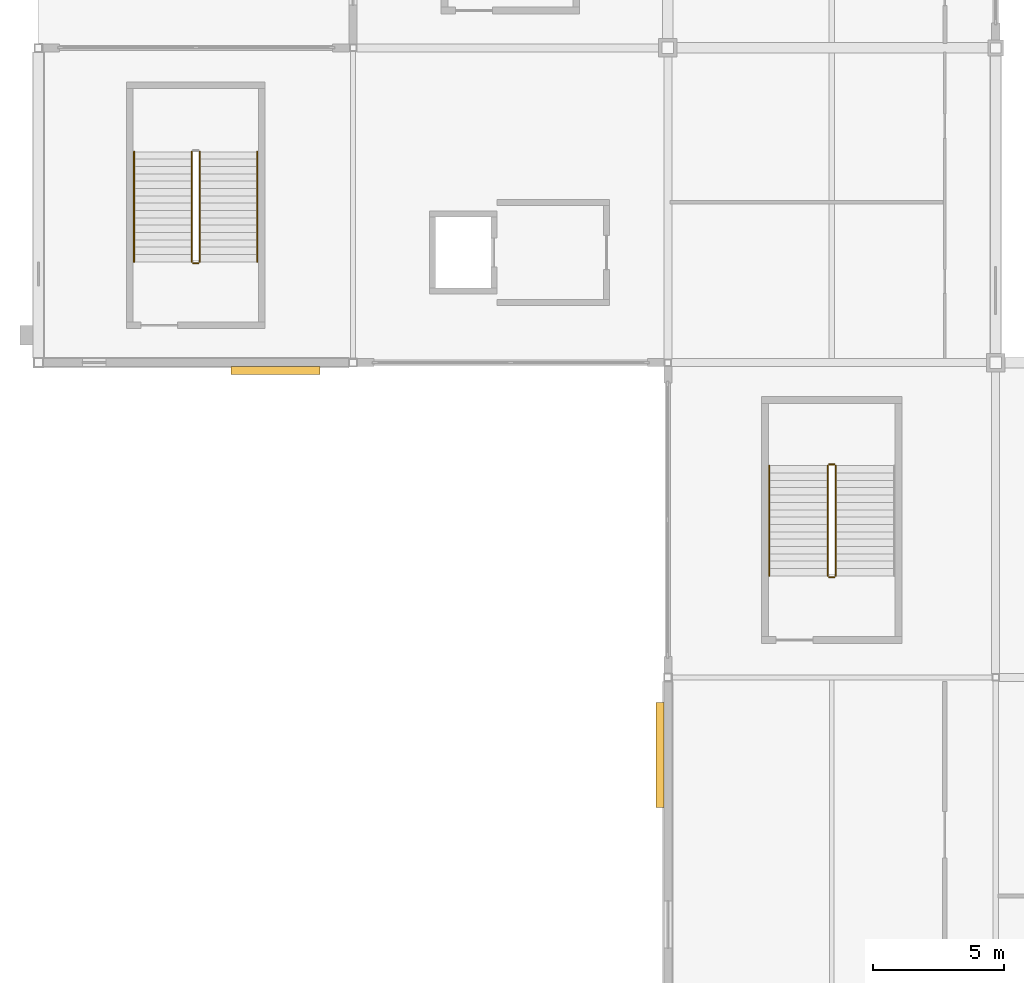
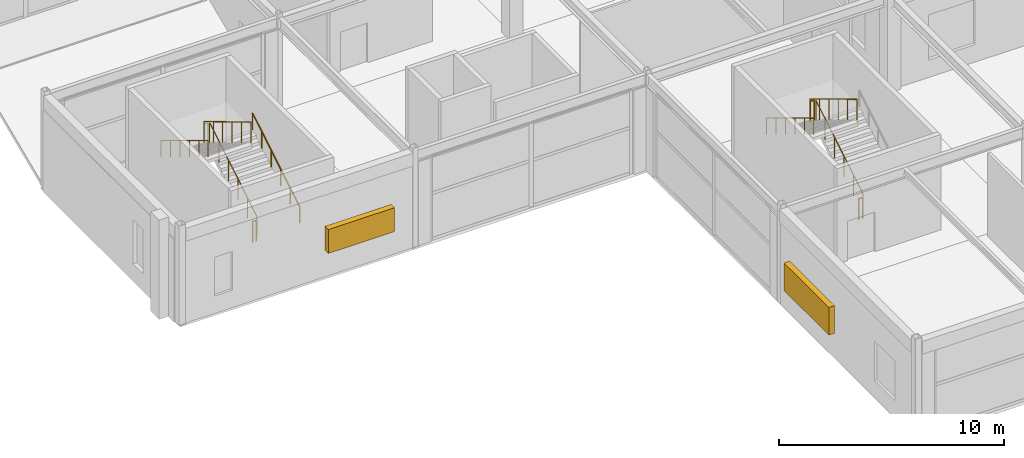
# One storey, part 87 of 105: 10 railings, 2 shading devices.
"""IFC4 building model written with IfcOpenShell, lengths in metres."""

from ifc_helpers import new_model, si_unit, direction, frame, origin, origin_2d, place, context, subcontext, project, spatial, rectangle, circle, extrude, material, layer, layer_set, type_object, element, save


model = new_model("IFC4")

# Units and contexts
model_context = context("Model", 3, precision=1e-05, world=origin(), true_north=direction((0.0, 1.0)))
body_context = subcontext(model_context, "Body", "Model", "MODEL_VIEW")
ifc_project = project(units=[si_unit("LENGTHUNIT", "METRE"), si_unit("AREAUNIT", "SQUARE_METRE"), si_unit("VOLUMEUNIT", "CUBIC_METRE"), si_unit("PLANEANGLEUNIT", "RADIAN"), si_unit("MASSUNIT", "GRAM", prefix="KILO")], contexts=[model_context])

# Site, building, storey
site_placement = place(None, origin())
site = spatial("IfcSite", under=ifc_project, at=site_placement, CompositionType="ELEMENT")
building_placement = place(site_placement, origin())
building = spatial("IfcBuilding", under=site, at=building_placement, Name="Kazenohara Klinker Stadium", CompositionType="ELEMENT")
storey_placement = place(building_placement, frame((0.0, 0.0, 20.39990234375)))
storey = spatial("IfcBuildingStorey", under=building, at=storey_placement, Name="L04", CompositionType="ELEMENT", Elevation=20.39990234375)

# Railings
ifc_material_1 = material(Name="Brushed stainless steel 304 handrail", Category="steel")
ifc_layer_1 = layer(ifc_material_1, 0.050048828125)
ifc_layer_set_1 = layer_set([ifc_layer_1], Name="Brushed stainless steel 304 handrail")
railing_type_1 = type_object("IfcRailingType", Name="RL-HND-900", PredefinedType="HANDRAIL", material=ifc_layer_set_1)
railing_1_placement = place(storey_placement, frame((8.35009765625, 39.840087890625, 0.1689453125)))
element("IfcRailing", 1, at=railing_1_placement, inside=storey, type_object=railing_type_1, Name="L04 ST01 stair handrail 1", PredefinedType="HANDRAIL", context=body_context, shape_type="SweptSolid", body=[
    extrude(circle(Radius=0.02392578125, at=origin_2d()), frame((0.0, 0.0, 0.8759765625), z_axis=(0.0, 0.856476492594, 0.516186030065), x_axis=(-1.0, 0.0, 0.0)), (0.0, 0.0, 1.0), 4.90380859375),
    extrude(circle(Radius=0.02099609375, at=origin_2d()), origin(), (0.0, 0.0, 1.0), 0.851806640625),
    extrude(circle(Radius=0.02099609375, at=origin_2d()), frame((0.0, 0.840087890625, 0.50634765625)), (0.0, 0.0, 1.0), 0.851806640625),
    extrude(circle(Radius=0.02099609375, at=origin_2d()), frame((0.0, 1.679931640625, 1.012451171875)), (0.0, 0.0, 1.0), 0.851806640625),
    extrude(circle(Radius=0.02099609375, at=origin_2d()), frame((0.0, 2.52001953125, 1.518798828125)), (0.0, 0.0, 1.0), 0.851806640625),
    extrude(circle(Radius=0.02099609375, at=origin_2d()), frame((0.0, 3.35986328125, 2.02490234375)), (0.0, 0.0, 1.0), 0.851806640625),
    extrude(circle(Radius=0.02099609375, at=origin_2d()), frame((0.0, 4.199951171875, 2.53125)), (0.0, 0.0, 1.0), 0.851806640625),
])
for number, where, name in (
    (2, (3.64990234375, 44.0400390625, 2.868896484375), "L04 ST01 stair handrail 2"),
    (3, (27.8701171875, 32.070068359375, 2.868896484375), "L04 ST07 stair handrail 2"),
):
    element("IfcRailing", number, at=place(storey_placement, frame(where)), inside=storey, type_object=railing_type_1, Name=name, PredefinedType="HANDRAIL", context=body_context, shape_type="SweptSolid", body=[
        extrude(circle(Radius=0.02392578125, at=origin_2d()), frame((0.0, 0.0, 0.8759765625), z_axis=(0.0, -0.856476492594, 0.516186030065), x_axis=(1.0, 0.0, 0.0)), (0.0, 0.0, 1.0), 4.90380859375),
        extrude(circle(Radius=0.02099609375, at=origin_2d()), origin(), (0.0, 0.0, 1.0), 0.851806640625),
        extrude(circle(Radius=0.02099609375, at=origin_2d()), frame((0.0, -0.840087890625, 0.50634765625)), (0.0, 0.0, 1.0), 0.851806640625),
        extrude(circle(Radius=0.02099609375, at=origin_2d()), frame((0.0, -1.679931640625, 1.012451171875)), (0.0, 0.0, 1.0), 0.851806640625),
        extrude(circle(Radius=0.02099609375, at=origin_2d()), frame((0.0, -2.52001953125, 1.518798828125)), (0.0, 0.0, 1.0), 0.851806640625),
        extrude(circle(Radius=0.02099609375, at=origin_2d()), frame((0.0, -3.35986328125, 2.02490234375)), (0.0, 0.0, 1.0), 0.851806640625),
        extrude(circle(Radius=0.02099609375, at=origin_2d()), frame((0.0, -4.199951171875, 2.53125)), (0.0, 0.0, 1.0), 0.851806640625),
    ])
ifc_material_2 = material(Name="Painted steel stairwell guardrail", Category="steel")
ifc_layer_2 = layer(ifc_material_2, 0.06005859375)
ifc_layer_set_2 = layer_set([ifc_layer_2], Name="Painted steel stairwell guardrail")
railing_type_2 = type_object("IfcRailingType", Name="RL-STG-1120", PredefinedType="GUARDRAIL", material=ifc_layer_set_2)
railing_2_placement = place(storey_placement, frame((6.14990234375, 39.840087890625, 0.1689453125)))
element("IfcRailing", 4, at=railing_2_placement, inside=storey, type_object=railing_type_2, Name="L04 ST01 stair guard 1", PredefinedType="GUARDRAIL", context=body_context, shape_type="SweptSolid", body=[
    extrude(circle(Radius=0.02392578125, at=origin_2d()), frame((0.0, 0.0, 1.1259765625), z_axis=(0.0, 0.856476492594, 0.516186030065), x_axis=(-1.0, 0.0, 0.0)), (0.0, 0.0, 1.0), 4.90380859375),
    extrude(circle(Radius=0.02099609375, at=origin_2d()), origin(), (0.0, 0.0, 1.0), 1.101806640625),
    extrude(circle(Radius=0.02099609375, at=origin_2d()), frame((0.0, 0.840087890625, 0.50634765625)), (0.0, 0.0, 1.0), 1.101806640625),
    extrude(circle(Radius=0.02099609375, at=origin_2d()), frame((0.0, 1.679931640625, 1.012451171875)), (0.0, 0.0, 1.0), 1.101806640625),
    extrude(circle(Radius=0.02099609375, at=origin_2d()), frame((0.0, 2.52001953125, 1.518798828125)), (0.0, 0.0, 1.0), 1.101806640625),
    extrude(circle(Radius=0.02099609375, at=origin_2d()), frame((0.0, 3.35986328125, 2.02490234375)), (0.0, 0.0, 1.0), 1.101806640625),
    extrude(circle(Radius=0.02099609375, at=origin_2d()), frame((0.0, 4.199951171875, 2.53125)), (0.0, 0.0, 1.0), 1.101806640625),
])
railing_3_placement = place(storey_placement, frame((5.85009765625, 44.0400390625, 2.868896484375)))
element("IfcRailing", 5, at=railing_3_placement, inside=storey, type_object=railing_type_2, Name="L04 ST01 stair guard 3", PredefinedType="GUARDRAIL", context=body_context, shape_type="SweptSolid", body=[
    extrude(circle(Radius=0.02392578125, at=origin_2d()), frame((0.0, 0.0, 1.1259765625), z_axis=(0.0, -0.856476492594, 0.516186030065), x_axis=(1.0, 0.0, 0.0)), (0.0, 0.0, 1.0), 4.90380859375),
    extrude(circle(Radius=0.02099609375, at=origin_2d()), origin(), (0.0, 0.0, 1.0), 1.101806640625),
    extrude(circle(Radius=0.02099609375, at=origin_2d()), frame((0.0, -0.840087890625, 0.50634765625)), (0.0, 0.0, 1.0), 1.101806640625),
    extrude(circle(Radius=0.02099609375, at=origin_2d()), frame((0.0, -1.679931640625, 1.012451171875)), (0.0, 0.0, 1.0), 1.101806640625),
    extrude(circle(Radius=0.02099609375, at=origin_2d()), frame((0.0, -2.52001953125, 1.518798828125)), (0.0, 0.0, 1.0), 1.101806640625),
    extrude(circle(Radius=0.02099609375, at=origin_2d()), frame((0.0, -3.35986328125, 2.02490234375)), (0.0, 0.0, 1.0), 1.101806640625),
    extrude(circle(Radius=0.02099609375, at=origin_2d()), frame((0.0, -4.199951171875, 2.53125)), (0.0, 0.0, 1.0), 1.101806640625),
])
railing_4_placement = place(storey_placement, frame((6.10009765625, 39.7900390625, 0.0)))
element("IfcRailing", 6, at=railing_4_placement, inside=storey, type_object=railing_type_2, Name="L04 ST01 stair guard 4", PredefinedType="GUARDRAIL", context=body_context, shape_type="SweptSolid", body=[
    extrude(circle(Radius=0.02392578125, at=origin_2d()), frame((0.0, 0.0, 1.1259765625), z_axis=(-1.0, 0.0, 0.0), x_axis=(0.0, -1.0, 0.0)), (0.0, 0.0, 1.0), 0.2001953125),
    extrude(circle(Radius=0.02099609375, at=origin_2d()), origin(), (0.0, 0.0, 1.0), 1.101806640625),
    extrude(circle(Radius=0.02099609375, at=origin_2d()), frame((-0.2001953125, 0.0, 0.0)), (0.0, 0.0, 1.0), 1.101806640625),
])
railing_5_placement = place(storey_placement, frame((30.39990234375, 27.8701171875, 0.1689453125)))
element("IfcRailing", 7, at=railing_5_placement, inside=storey, type_object=railing_type_2, Name="L04 ST07 stair guard 1", PredefinedType="GUARDRAIL", context=body_context, shape_type="SweptSolid", body=[
    extrude(circle(Radius=0.02392578125, at=origin_2d()), frame((0.0, 0.0, 1.1259765625), z_axis=(0.0, 0.856476492594, 0.516186030065), x_axis=(-1.0, 0.0, 0.0)), (0.0, 0.0, 1.0), 4.90380859375),
    extrude(circle(Radius=0.02099609375, at=origin_2d()), origin(), (0.0, 0.0, 1.0), 1.101806640625),
    extrude(circle(Radius=0.02099609375, at=origin_2d()), frame((0.0, 0.840087890625, 0.50634765625)), (0.0, 0.0, 1.0), 1.101806640625),
    extrude(circle(Radius=0.02099609375, at=origin_2d()), frame((0.0, 1.679931640625, 1.012451171875)), (0.0, 0.0, 1.0), 1.101806640625),
    extrude(circle(Radius=0.02099609375, at=origin_2d()), frame((0.0, 2.52001953125, 1.518798828125)), (0.0, 0.0, 1.0), 1.101806640625),
    extrude(circle(Radius=0.02099609375, at=origin_2d()), frame((0.0, 3.35986328125, 2.02490234375)), (0.0, 0.0, 1.0), 1.101806640625),
    extrude(circle(Radius=0.02099609375, at=origin_2d()), frame((0.0, 4.199951171875, 2.53125)), (0.0, 0.0, 1.0), 1.101806640625),
])
railing_6_placement = place(storey_placement, frame((30.35009765625, 32.1201171875, 2.7001953125)))
element("IfcRailing", 8, at=railing_6_placement, inside=storey, type_object=railing_type_2, Name="L04 ST07 stair guard 2", PredefinedType="GUARDRAIL", context=body_context, shape_type="SweptSolid", body=[
    extrude(circle(Radius=0.02392578125, at=origin_2d()), frame((0.0, 0.0, 1.1259765625), z_axis=(-1.0, 0.0, 0.0), x_axis=(0.0, -1.0, 0.0)), (0.0, 0.0, 1.0), 0.2001953125),
    extrude(circle(Radius=0.02099609375, at=origin_2d()), origin(), (0.0, 0.0, 1.0), 1.101806640625),
    extrude(circle(Radius=0.02099609375, at=origin_2d()), frame((-0.2001953125, 0.0, 0.0)), (0.0, 0.0, 1.0), 1.101806640625),
])
railing_7_placement = place(storey_placement, frame((30.10009765625, 32.070068359375, 2.868896484375)))
element("IfcRailing", 9, at=railing_7_placement, inside=storey, type_object=railing_type_2, Name="L04 ST07 stair guard 3", PredefinedType="GUARDRAIL", context=body_context, shape_type="SweptSolid", body=[
    extrude(circle(Radius=0.02392578125, at=origin_2d()), frame((0.0, 0.0, 1.1259765625), z_axis=(0.0, -0.856476492594, 0.516186030065), x_axis=(1.0, 0.0, 0.0)), (0.0, 0.0, 1.0), 4.90380859375),
    extrude(circle(Radius=0.02099609375, at=origin_2d()), origin(), (0.0, 0.0, 1.0), 1.101806640625),
    extrude(circle(Radius=0.02099609375, at=origin_2d()), frame((0.0, -0.840087890625, 0.50634765625)), (0.0, 0.0, 1.0), 1.101806640625),
    extrude(circle(Radius=0.02099609375, at=origin_2d()), frame((0.0, -1.679931640625, 1.012451171875)), (0.0, 0.0, 1.0), 1.101806640625),
    extrude(circle(Radius=0.02099609375, at=origin_2d()), frame((0.0, -2.52001953125, 1.518798828125)), (0.0, 0.0, 1.0), 1.101806640625),
    extrude(circle(Radius=0.02099609375, at=origin_2d()), frame((0.0, -3.35986328125, 2.02490234375)), (0.0, 0.0, 1.0), 1.101806640625),
    extrude(circle(Radius=0.02099609375, at=origin_2d()), frame((0.0, -4.199951171875, 2.53125)), (0.0, 0.0, 1.0), 1.101806640625),
])
railing_8_placement = place(storey_placement, frame((30.35009765625, 27.820068359375, 0.0)))
element("IfcRailing", 10, at=railing_8_placement, inside=storey, type_object=railing_type_2, Name="L04 ST07 stair guard 4", PredefinedType="GUARDRAIL", context=body_context, shape_type="SweptSolid", body=[
    extrude(circle(Radius=0.02392578125, at=origin_2d()), frame((0.0, 0.0, 1.1259765625), z_axis=(-1.0, 0.0, 0.0), x_axis=(0.0, -1.0, 0.0)), (0.0, 0.0, 1.0), 0.2001953125),
    extrude(circle(Radius=0.02099609375, at=origin_2d()), origin(), (0.0, 0.0, 1.0), 1.101806640625),
    extrude(circle(Radius=0.02099609375, at=origin_2d()), frame((-0.2001953125, 0.0, 0.0)), (0.0, 0.0, 1.0), 1.101806640625),
])

# Shading devices
ifc_material_3 = material(Name="Perforated clinker-brick and bronze louvre grille", Category="masonry")
shading_device_type_1 = type_object("IfcShadingDeviceType", Name="SHD-LOUV-01", PredefinedType="JALOUSIE", material=ifc_material_3)
shading_device_1_placement = place(storey_placement, frame((9.0458984375, 35.699951171875, 1.4501953125), z_axis=(0.0, 0.0, 1.0), x_axis=(1.0, 0.0, 0.0)))
element("IfcShadingDevice", 11, at=shading_device_1_placement, inside=storey, type_object=shading_device_type_1, Name="Perforated clinker-brick louvre screen LV01-18", PredefinedType="JALOUSIE", context=body_context, shape_type="SweptSolid", body=[
    extrude(rectangle(XDim=3.39990234375, YDim=0.300048828125, at=origin_2d()), origin(), (0.0, 0.0, 1.0), 1.300048828125),
])
shading_device_type_2 = type_object("IfcShadingDeviceType", Name="SHD-LOUV-02", PredefinedType="JALOUSIE", material=ifc_material_3)
shading_device_2_placement = place(storey_placement, frame((23.699951171875, 21.0458984375, 1.35009765625), z_axis=(0.0, 0.0, 1.0), x_axis=(0.0, 1.0, 0.0)))
element("IfcShadingDevice", 12, at=shading_device_2_placement, inside=storey, type_object=shading_device_type_2, Name="Perforated clinker-brick louvre screen LV02-22", PredefinedType="JALOUSIE", context=body_context, shape_type="SweptSolid", body=[
    extrude(rectangle(XDim=4.0, YDim=0.300048828125, at=origin_2d()), origin(), (0.0, 0.0, 1.0), 1.5),
])

save(model, "model.ifc")
